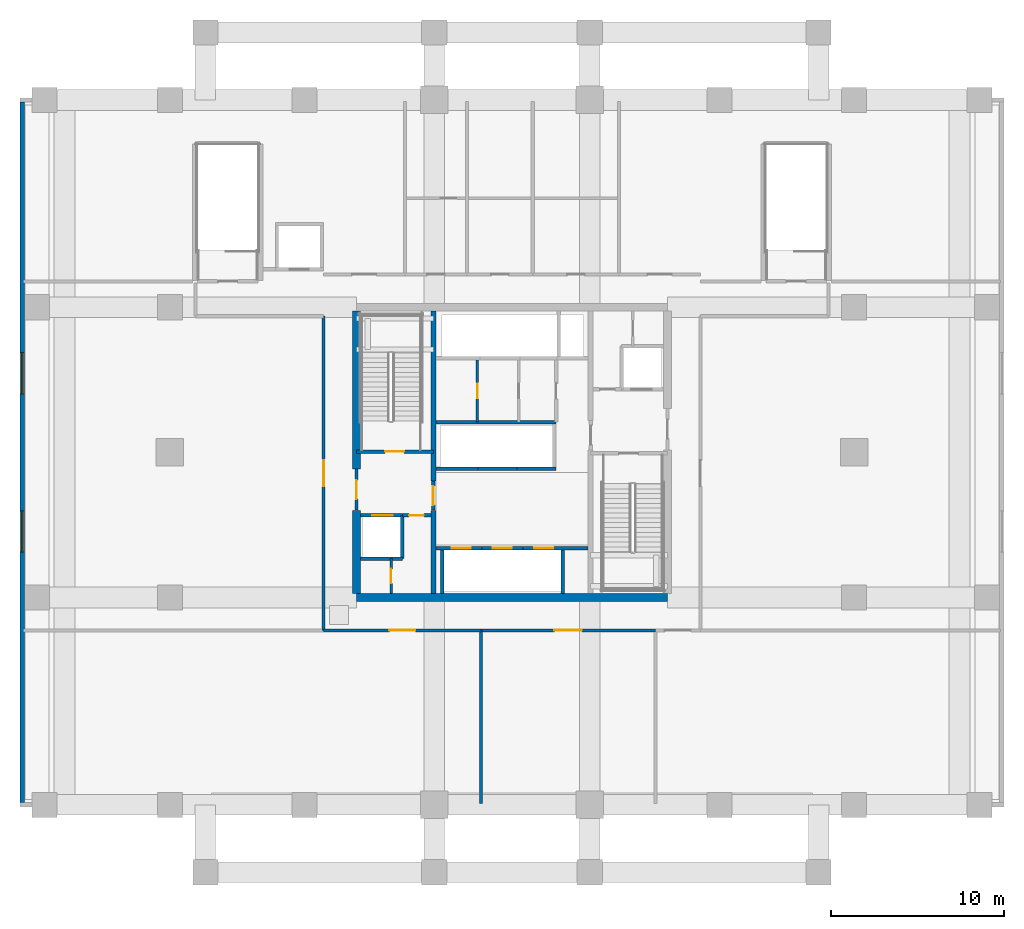
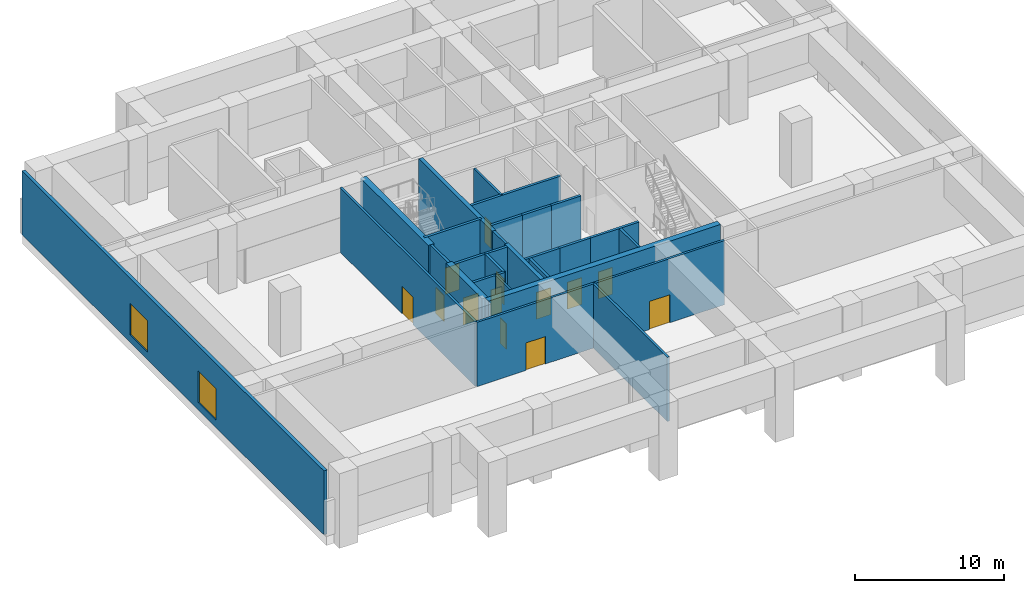
# One storey, part 2 of 9: 28 walls, 13 doors, 2 windows, 15 openings.
"""IFC4 building model written with IfcOpenShell, lengths in metres."""

from ifc_helpers import new_model, si_unit, direction, frame, frame_2d, origin, place, context, subcontext, project, spatial, rectangle, extrude, source, transform, mapped, material, layer, layer_set, type_object, element, fill, save


model = new_model("IFC4")

# Units and contexts
model_context = context("Model", 3, precision=1e-05, world=origin(), true_north=direction((0.0, 1.0)))
body_context = subcontext(model_context, "Body", "Model", "MODEL_VIEW")
ifc_project = project(units=[si_unit("LENGTHUNIT", "METRE"), si_unit("AREAUNIT", "SQUARE_METRE"), si_unit("VOLUMEUNIT", "CUBIC_METRE"), si_unit("PLANEANGLEUNIT", "RADIAN"), si_unit("MASSUNIT", "GRAM", prefix="KILO")], contexts=[model_context])

# Site, building, storey
site_placement = place(None, origin())
site = spatial("IfcSite", under=ifc_project, at=site_placement, CompositionType="ELEMENT")
building_placement = place(site_placement, origin())
building = spatial("IfcBuilding", under=site, at=building_placement, Name="Serunith Strait Residences", CompositionType="ELEMENT")
storey_placement = place(building_placement, frame((0.0, 0.0, 21.0)))
storey = spatial("IfcBuildingStorey", under=building, at=storey_placement, Name="L04", CompositionType="ELEMENT", Elevation=21.0)

# Wall, openings, windows
ifc_material_1 = material(Name="Pale-Silver Aluminium Terracotta-Backed Wall", Category="masonry")
ifc_layer_1 = layer(ifc_material_1, 0.25, Name="Pale-Silver Aluminium Terracotta-Backed Wall")
ifc_layer_set_1 = layer_set([ifc_layer_1], Name="Pale-Silver Aluminium Terracotta-Backed Wall")
wall_type_1 = type_object("IfcWallType", Name="EW-POD-250", PredefinedType="ELEMENTEDWALL", material=ifc_layer_set_1)
wall_1_placement = place(storey_placement, frame((4.050048828125, 45.47509765625, 0.0), z_axis=(0.0, 0.0, 1.0), x_axis=(0.0, -1.0, 0.0)))
wall_1 = element("IfcWall", 1, at=wall_1_placement, inside=storey, type_object=wall_type_1, Name="L04 Podium Envelope Wall 4", PredefinedType="ELEMENTEDWALL", context=body_context, shape_type="SweptSolid", body=[
    extrude(rectangle(XDim=40.550048828125, YDim=0.25, at=frame_2d((20.27490234375, 0.0))), origin(), (0.0, 0.0, 1.0), 5.2451171875),
])
opening_1_placement = place(wall_1_placement, frame((14.4970703125, 0.0, 0.60009765625)))
opening_1 = element("IfcOpeningElement", 2, at=opening_1_placement, cuts=wall_1, Name="Opening W-08", PredefinedType="OPENING", context=body_context, shape_type="SweptSolid", body=[
    extrude(rectangle(XDim=2.39990234375, YDim=2.60009765625, at=frame_2d((1.199951171875, 1.300048828125))), frame((0.0, 0.135009765625, 0.0), z_axis=(0.0, -1.0, 0.0), x_axis=(1.0, 0.0, 0.0)), (0.0, 0.0, 1.0), 0.27001953125),
])
opening_2_placement = place(wall_1_placement, frame((23.653076171875, 0.0, 0.60009765625)))
opening_2 = element("IfcOpeningElement", 3, at=opening_2_placement, cuts=wall_1, Name="Opening W-08", PredefinedType="OPENING", context=body_context, shape_type="SweptSolid", body=[
    extrude(rectangle(XDim=2.39990234375, YDim=2.60009765625, at=frame_2d((1.199951171875, 1.300048828125))), frame((0.0, 0.135009765625, 0.0), z_axis=(0.0, -1.0, 0.0), x_axis=(1.0, 0.0, 0.0)), (0.0, 0.0, 1.0), 0.27001953125),
])
ifc_material_2 = material(Name="Podium Club Operable Window Glass", Category="glass")
window_type = type_object("IfcWindowType", Name="WIN-POD2", PartitioningType="DOUBLE_PANEL_VERTICAL", PredefinedType="WINDOW", material=ifc_material_2)
shared_shape_1 = source(origin(), body_context, "Body", "SweptSolid", [
    extrude(rectangle(XDim=2.39990234375, YDim=2.60009765625, at=frame_2d((1.199951171875, 1.300048828125))), frame((0.0, 0.030029296875, 0.0), z_axis=(0.0, -1.0, 0.0), x_axis=(1.0, 0.0, 0.0)), (0.0, 0.0, 1.0), 0.06005859375),
])
window_1_placement = place(opening_1_placement, origin())
window_1 = element("IfcWindow", 4, at=window_1_placement, inside=storey, type_object=window_type, Name="L04 Podium Window 4A", OverallHeight=2.60009765625, OverallWidth=2.39990234375, PartitioningType="SINGLE_PANEL", PredefinedType="WINDOW", context=body_context, shape_type="MappedRepresentation", body=[
    mapped(shared_shape_1, transform((0.0, 0.0, 0.0), scale=1.0)),
])
fill(opening_1, window_1)
window_2_placement = place(opening_2_placement, origin())
window_2 = element("IfcWindow", 5, at=window_2_placement, inside=storey, type_object=window_type, Name="L04 Podium Window 4B", OverallHeight=2.60009765625, OverallWidth=2.39990234375, PartitioningType="SINGLE_PANEL", PredefinedType="WINDOW", context=body_context, shape_type="MappedRepresentation", body=[
    mapped(shared_shape_1, transform((0.0, 0.0, 0.0), scale=1.0)),
])
fill(opening_2, window_2)

# Wall, opening, door
ifc_material_3 = material(Name="Fire-rated masonry service closet wall", Category="masonry")
ifc_layer_2 = layer(ifc_material_3, 0.14990234375, Name="Fire-rated masonry service closet wall")
ifc_layer_set_2 = layer_set([ifc_layer_2], Name="Fire-rated masonry service closet wall")
wall_type_2 = type_object("IfcWallType", Name="IW-BOH-150", PredefinedType="PARTITIONING", material=ifc_layer_set_2)
wall_2_placement = place(storey_placement, frame((25.39990234375, 17.02490234375, 0.0), z_axis=(0.0, 0.0, 1.0), x_axis=(0.0, 1.0, 0.0)))
wall_2 = element("IfcWall", 6, at=wall_2_placement, inside=storey, type_object=wall_type_2, Name="L04 Partition Wall 012", PredefinedType="PARTITIONING", context=body_context, shape_type="SweptSolid", body=[
    extrude(rectangle(XDim=2.025146484375, YDim=0.14990234375, at=frame_2d((1.0126953125, 0.0))), origin(), (0.0, 0.0, 1.0), 5.260009765625),
])
opening_3_placement = place(wall_2_placement, frame((0.587890625, 0.0, 0.0)))
opening_3 = element("IfcOpeningElement", 7, at=opening_3_placement, cuts=wall_2, Name="Opening FD-850", PredefinedType="OPENING", context=body_context, shape_type="SweptSolid", body=[
    extrude(rectangle(XDim=0.85009765625, YDim=2.10009765625, at=frame_2d((0.425048828125, 1.050048828125))), frame((0.0, 0.0849609375, 0.0), z_axis=(0.0, -1.0, 0.0), x_axis=(1.0, 0.0, 0.0)), (0.0, 0.0, 1.0), 0.169921875),
])
ifc_material_4 = material(Name="Powder-coated steel service closet door", Category="steel")
door_type_1 = type_object("IfcDoorType", Name="FD-BOH-850", OperationType="NOTDEFINED", PredefinedType="DOOR", material=ifc_material_4)
shared_shape_2 = source(origin(), body_context, "Body", "SweptSolid", [
    extrude(rectangle(XDim=0.85009765625, YDim=2.10009765625, at=frame_2d((0.425048828125, 1.050048828125))), frame((0.0, 0.02490234375, 0.0), z_axis=(0.0, -1.0, 0.0), x_axis=(1.0, 0.0, 0.0)), (0.0, 0.0, 1.0), 0.050048828125),
])
door_1_placement = place(opening_3_placement, origin())
door_1 = element("IfcDoor", 8, at=door_1_placement, inside=storey, type_object=door_type_1, Name="L04 Sprinkler Plant Door", OperationType="SINGLE_SWING_RIGHT", OverallHeight=2.10009765625, OverallWidth=0.85009765625, PredefinedType="DOOR", context=body_context, shape_type="MappedRepresentation", body=[
    mapped(shared_shape_2, transform((0.0, 0.0, 0.0), scale=1.0)),
])
fill(opening_3, door_1)

wall_3_placement = place(storey_placement, frame((30.39990234375, 26.949951171875, 0.0), z_axis=(0.0, 0.0, 1.0), x_axis=(0.0, 1.0, 0.0)))
wall_3 = element("IfcWall", 9, at=wall_3_placement, inside=storey, type_object=wall_type_2, Name="L04 Partition Wall 016", PredefinedType="PARTITIONING", context=body_context, shape_type="SweptSolid", body=[
    extrude(rectangle(XDim=3.60009765625, YDim=0.14990234375, at=frame_2d((1.800048828125, 0.0))), origin(), (0.0, 0.0, 1.0), 5.260009765625),
])
opening_4_placement = place(wall_3_placement, frame((1.375, 0.0, 0.0)))
opening_4 = element("IfcOpeningElement", 10, at=opening_4_placement, cuts=wall_3, Name="Opening FD-850", PredefinedType="OPENING", context=body_context, shape_type="SweptSolid", body=[
    extrude(rectangle(XDim=0.85009765625, YDim=2.10009765625, at=frame_2d((0.425048828125, 1.050048828125))), frame((0.0, 0.0849609375, 0.0), z_axis=(0.0, -1.0, 0.0), x_axis=(1.0, 0.0, 0.0)), (0.0, 0.0, 1.0), 0.169921875),
])
door_2_placement = place(opening_4_placement, origin())
door_2 = element("IfcDoor", 11, at=door_2_placement, inside=storey, type_object=door_type_1, Name="L04 Housekeeping Supply Door", OperationType="SINGLE_SWING_RIGHT", OverallHeight=2.10009765625, OverallWidth=0.85009765625, PredefinedType="DOOR", context=body_context, shape_type="MappedRepresentation", body=[
    mapped(shared_shape_2, transform((0.0, 0.0, 0.0), scale=1.0)),
])
fill(opening_4, door_2)

ifc_material_5 = material(Name="Fire-rated acoustic gypsum partition")
ifc_layer_3 = layer(ifc_material_5, 0.179931640625, Name="Fire-rated acoustic gypsum partition")
ifc_layer_set_3 = layer_set([ifc_layer_3], Name="Fire-rated acoustic gypsum partition")
wall_type_3 = type_object("IfcWallType", Name="IW-CORR-180", PredefinedType="PARTITIONING", material=ifc_layer_set_3)
wall_4_placement = place(storey_placement, frame((21.5, 14.89990234375, 0.0), z_axis=(0.0, 0.0, 1.0), x_axis=(0.0, 1.0, 0.0)))
wall_4 = element("IfcWall", 12, at=wall_4_placement, inside=storey, type_object=wall_type_3, Name="L04 Partition Wall 027", PredefinedType="PARTITIONING", context=body_context, shape_type="SweptSolid", body=[
    extrude(rectangle(XDim=18.18017578125, YDim=0.179931640625, at=frame_2d((9.090087890625, 0.0))), origin(), (0.0, 0.0, 1.0), 5.260009765625),
])
opening_5_placement = place(wall_4_placement, frame((8.340087890625, 0.0, 0.0)))
opening_5 = element("IfcOpeningElement", 13, at=opening_5_placement, cuts=wall_4, Name="Opening D-POD1500", PredefinedType="OPENING", context=body_context, shape_type="SweptSolid", body=[
    extrude(rectangle(XDim=1.5, YDim=2.25, at=frame_2d((0.75, 1.125))), frame((0.0, 0.10009765625, 0.0), z_axis=(0.0, -1.0, 0.0), x_axis=(1.0, 0.0, 0.0)), (0.0, 0.0, 1.0), 0.199951171875),
])
ifc_material_6 = material(Name="Pale-champagne aluminium glazed double door", Category="aluminium")
door_type_2 = type_object("IfcDoorType", Name="ID-POD-1500", OperationType="DOUBLE_DOOR_SINGLE_SWING", PredefinedType="DOOR", material=ifc_material_6)
shared_shape_3 = source(origin(), body_context, "Body", "SweptSolid", [
    extrude(rectangle(XDim=1.5, YDim=2.25, at=frame_2d((0.75, 1.125))), frame((0.0, 0.02490234375, 0.0), z_axis=(0.0, -1.0, 0.0), x_axis=(1.0, 0.0, 0.0)), (0.0, 0.0, 1.0), 0.050048828125),
])
door_3_placement = place(opening_5_placement, origin())
door_3 = element("IfcDoor", 14, at=door_3_placement, inside=storey, type_object=door_type_2, Name="L04 West Wing Suite Door", OperationType="DOUBLE_DOOR_SINGLE_SWING", OverallHeight=2.25, OverallWidth=1.5, PredefinedType="DOOR", context=body_context, shape_type="MappedRepresentation", body=[
    mapped(shared_shape_3, transform((0.0, 0.0, 0.0), scale=1.0)),
])
fill(opening_5, door_3)

wall_5_placement = place(storey_placement, frame((21.501953125, 14.89990234375, 0.0), z_axis=(0.0, 0.0, 1.0), x_axis=(1.0, 0.0, 0.0)))
wall_5 = element("IfcWall", 15, at=wall_5_placement, inside=storey, type_object=wall_type_3, Name="L04 Partition Wall 033", PredefinedType="PARTITIONING", context=body_context, shape_type="SweptSolid", body=[
    extrude(rectangle(XDim=9.09814453125, YDim=0.179931640625, at=frame_2d((4.549072265625, 0.0))), origin(), (0.0, 0.0, 1.0), 5.260009765625),
])
opening_6_placement = place(wall_5_placement, frame((3.799072265625, 0.0, 0.0)))
opening_6 = element("IfcOpeningElement", 16, at=opening_6_placement, cuts=wall_5, Name="Opening D-POD1500", PredefinedType="OPENING", context=body_context, shape_type="SweptSolid", body=[
    extrude(rectangle(XDim=1.5, YDim=2.25, at=frame_2d((0.75, 1.125))), frame((0.0, 0.10009765625, 0.0), z_axis=(0.0, -1.0, 0.0), x_axis=(1.0, 0.0, 0.0)), (0.0, 0.0, 1.0), 0.199951171875),
])
door_4_placement = place(opening_6_placement, origin())
door_4 = element("IfcDoor", 17, at=door_4_placement, inside=storey, type_object=door_type_2, Name="L04 South-West Suite Door", OperationType="DOUBLE_DOOR_SINGLE_SWING", OverallHeight=2.25, OverallWidth=1.5, PredefinedType="DOOR", context=body_context, shape_type="MappedRepresentation", body=[
    mapped(shared_shape_3, transform((0.0, 0.0, 0.0), scale=1.0)),
])
fill(opening_6, door_4)

wall_6_placement = place(storey_placement, frame((30.60205078125, 14.89990234375, 0.0), z_axis=(0.0, 0.0, 1.0), x_axis=(1.0, 0.0, 0.0)))
wall_6 = element("IfcWall", 18, at=wall_6_placement, inside=storey, type_object=wall_type_3, Name="L04 Partition Wall 034", PredefinedType="PARTITIONING", context=body_context, shape_type="SweptSolid", body=[
    extrude(rectangle(XDim=10.097900390625, YDim=0.179931640625, at=frame_2d((5.048828125, 0.0))), origin(), (0.0, 0.0, 1.0), 5.260009765625),
])
opening_7_placement = place(wall_6_placement, frame((4.2490234375, 0.0, 0.0)))
opening_7 = element("IfcOpeningElement", 19, at=opening_7_placement, cuts=wall_6, Name="Opening D-POD1600", PredefinedType="OPENING", context=body_context, shape_type="SweptSolid", body=[
    extrude(rectangle(XDim=1.60009765625, YDim=2.300048828125, at=frame_2d((0.800048828125, 1.14990234375))), frame((0.0, 0.10009765625, 0.0), z_axis=(0.0, -1.0, 0.0), x_axis=(1.0, 0.0, 0.0)), (0.0, 0.0, 1.0), 0.199951171875),
])
ifc_material_7 = material(Name="Pale-champagne aluminium glazed concourse door", Category="aluminium")
door_type_3 = type_object("IfcDoorType", Name="ID-POD-1600", OperationType="DOUBLE_DOOR_SINGLE_SWING", PredefinedType="DOOR", material=ifc_material_7)
shared_shape_4 = source(origin(), body_context, "Body", "SweptSolid", [
    extrude(rectangle(XDim=1.60009765625, YDim=2.300048828125, at=frame_2d((0.800048828125, 1.14990234375))), frame((0.0, 0.02490234375, 0.0), z_axis=(0.0, -1.0, 0.0), x_axis=(1.0, 0.0, 0.0)), (0.0, 0.0, 1.0), 0.050048828125),
])
door_5_placement = place(opening_7_placement, origin())
door_5 = element("IfcDoor", 20, at=door_5_placement, inside=storey, type_object=door_type_3, Name="L04 South Central Lounge Door", OperationType="DOUBLE_DOOR_SINGLE_SWING", OverallHeight=2.300048828125, OverallWidth=1.60009765625, PredefinedType="DOOR", context=body_context, shape_type="MappedRepresentation", body=[
    mapped(shared_shape_4, transform((0.0, 0.0, 0.0), scale=1.0)),
])
fill(opening_7, door_5)

# Wall
wall_7_placement = place(storey_placement, frame((30.60009765625, 4.882080078125, 0.0), z_axis=(0.0, 0.0, 1.0), x_axis=(0.0, 1.0, 0.0)))
element("IfcWall", 21, at=wall_7_placement, inside=storey, type_object=wall_type_3, Name="L04 Partition Wall 041", PredefinedType="PARTITIONING", context=body_context, shape_type="SweptSolid", body=[
    extrude(rectangle(XDim=10.017822265625, YDim=0.179931640625, at=frame_2d((5.0087890625, 0.0))), origin(), (0.0, 0.0, 1.0), 5.260009765625),
])

# Wall, opening, door
ifc_material_8 = material(Name="Autoclaved aerated concrete blockwork", Category="masonry")
ifc_layer_4 = layer(ifc_material_8, 0.199951171875, Name="Autoclaved aerated concrete blockwork")
ifc_layer_set_4 = layer_set([ifc_layer_4], Name="Autoclaved aerated concrete blockwork")
wall_type_4 = type_object("IfcWallType", Name="IW-SHAFT-200", PredefinedType="STANDARD", material=ifc_layer_set_4)
wall_8_placement = place(storey_placement, frame((23.39990234375, 25.25, 0.0), z_axis=(0.0, 0.0, 1.0), x_axis=(1.0, 0.0, 0.0)))
wall_8 = element("IfcWall", 22, at=wall_8_placement, inside=storey, type_object=wall_type_4, Name="L04 ST-1 South Shaft Wall", PredefinedType="STANDARD", context=body_context, shape_type="SweptSolid", body=[
    extrude(rectangle(XDim=4.4501953125, YDim=0.199951171875, at=frame_2d((2.22509765625, 0.0))), origin(), (0.0, 0.0, 1.0), 5.260009765625),
])
opening_8_placement = place(wall_8_placement, frame((1.64990234375, 0.0, 0.0)))
opening_8 = element("IfcOpeningElement", 23, at=opening_8_placement, cuts=wall_8, Name="Opening FD-1100", PredefinedType="OPENING", context=body_context, shape_type="SweptSolid", body=[
    extrude(rectangle(XDim=1.10009765625, YDim=2.14990234375, at=frame_2d((0.550048828125, 1.074951171875))), frame((0.0, 0.10986328125, 0.0), z_axis=(0.0, -1.0, 0.0), x_axis=(1.0, 0.0, 0.0)), (0.0, 0.0, 1.0), 0.219970703125),
])
ifc_material_9 = material(Name="Galvanised steel fire door leaf", Category="steel")
door_type_4 = type_object("IfcDoorType", Name="FD-STAIR-1100", OperationType="NOTDEFINED", PredefinedType="DOOR", material=ifc_material_9)
shared_shape_5 = source(origin(), body_context, "Body", "SweptSolid", [
    extrude(rectangle(XDim=1.10009765625, YDim=2.14990234375, at=frame_2d((0.550048828125, 1.074951171875))), frame((0.0, 0.02490234375, 0.0), z_axis=(0.0, -1.0, 0.0), x_axis=(1.0, 0.0, 0.0)), (0.0, 0.0, 1.0), 0.050048828125),
])
door_6_placement = place(opening_8_placement, origin())
door_6 = element("IfcDoor", 24, at=door_6_placement, inside=storey, type_object=door_type_4, Name="L04 ST-1 Escape Stair Door", OperationType="SINGLE_SWING_RIGHT", OverallHeight=2.14990234375, OverallWidth=1.10009765625, PredefinedType="DOOR", context=body_context, shape_type="MappedRepresentation", body=[
    mapped(shared_shape_5, transform((0.0, 0.0, 0.0), scale=1.0)),
])
fill(opening_8, door_6)

wall_9_placement = place(storey_placement, frame((23.625, 21.550048828125, 0.0), z_axis=(0.0, 0.0, 1.0), x_axis=(1.0, 0.0, 0.0)))
wall_9 = element("IfcWall", 25, at=wall_9_placement, inside=storey, type_object=wall_type_4, Name="L04 FL-1 North Shaft Wall", PredefinedType="STANDARD", context=body_context, shape_type="SweptSolid", body=[
    extrude(rectangle(XDim=2.425048828125, YDim=0.199951171875, at=frame_2d((1.21240234375, 0.0))), origin(), (0.0, 0.0, 1.0), 5.260009765625),
])
opening_9_placement = place(wall_9_placement, frame((0.675048828125, 0.0, 0.0)))
opening_9 = element("IfcOpeningElement", 26, at=opening_9_placement, cuts=wall_9, Name="Opening LD-FF1200", PredefinedType="OPENING", context=body_context, shape_type="SweptSolid", body=[
    extrude(rectangle(XDim=1.199951171875, YDim=2.199951171875, at=frame_2d((0.60009765625, 1.10009765625))), frame((0.0, 0.10986328125, 0.0), z_axis=(0.0, -1.0, 0.0), x_axis=(1.0, 0.0, 0.0)), (0.0, 0.0, 1.0), 0.219970703125),
])
ifc_material_10 = material(Name="Brushed stainless steel landing door", Category="steel")
door_type_5 = type_object("IfcDoorType", Name="LD-FF-1200", OperationType="DOUBLE_DOOR_SLIDING", PredefinedType="DOOR", material=ifc_material_10)
shared_shape_6 = source(origin(), body_context, "Body", "SweptSolid", [
    extrude(rectangle(XDim=1.199951171875, YDim=2.199951171875, at=frame_2d((0.60009765625, 1.10009765625))), frame((0.0, 0.02490234375, 0.0), z_axis=(0.0, -1.0, 0.0), x_axis=(1.0, 0.0, 0.0)), (0.0, 0.0, 1.0), 0.050048828125),
])
door_7_placement = place(opening_9_placement, origin())
door_7 = element("IfcDoor", 27, at=door_7_placement, inside=storey, type_object=door_type_5, Name="L04 FL-1 Landing Door", OperationType="DOUBLE_DOOR_SLIDING", OverallHeight=2.199951171875, OverallWidth=1.199951171875, PredefinedType="DOOR", context=body_context, shape_type="MappedRepresentation", body=[
    mapped(shared_shape_6, transform((0.0, 0.0, 0.0), scale=1.0)),
])
fill(opening_9, door_7)

wall_10_placement = place(storey_placement, frame((28.0, 19.64990234375, 0.0), z_axis=(0.0, 0.0, 1.0), x_axis=(1.0, 0.0, 0.0)))
wall_10 = element("IfcWall", 28, at=wall_10_placement, inside=storey, type_object=wall_type_4, Name="L04 PL-1 North Shaft Wall", PredefinedType="STANDARD", context=body_context, shape_type="SweptSolid", body=[
    extrude(rectangle(XDim=2.64990234375, YDim=0.199951171875, at=frame_2d((1.324951171875, 0.0))), origin(), (0.0, 0.0, 1.0), 5.260009765625),
])
opening_10_placement = place(wall_10_placement, frame((0.89990234375, 0.0, 0.0)))
opening_10 = element("IfcOpeningElement", 29, at=opening_10_placement, cuts=wall_10, Name="Opening LD-1100", PredefinedType="OPENING", context=body_context, shape_type="SweptSolid", body=[
    extrude(rectangle(XDim=1.10009765625, YDim=2.199951171875, at=frame_2d((0.550048828125, 1.10009765625))), frame((0.0, 0.10986328125, 0.0), z_axis=(0.0, -1.0, 0.0), x_axis=(1.0, 0.0, 0.0)), (0.0, 0.0, 1.0), 0.219970703125),
])
ifc_material_11 = material(Name="Pale-champagne stainless landing door")
door_type_6 = type_object("IfcDoorType", Name="LD-LIFT-1100", OperationType="DOUBLE_DOOR_SLIDING", PredefinedType="DOOR", material=ifc_material_11)
shared_shape_7 = source(origin(), body_context, "Body", "SweptSolid", [
    extrude(rectangle(XDim=1.10009765625, YDim=2.199951171875, at=frame_2d((0.550048828125, 1.10009765625))), frame((0.0, 0.02490234375, 0.0), z_axis=(0.0, -1.0, 0.0), x_axis=(1.0, 0.0, 0.0)), (0.0, 0.0, 1.0), 0.050048828125),
])
door_8_placement = place(opening_10_placement, origin())
door_8 = element("IfcDoor", 30, at=door_8_placement, inside=storey, type_object=door_type_6, Name="L04 PL-1 Landing Door", OperationType="DOUBLE_DOOR_SLIDING", OverallHeight=2.199951171875, OverallWidth=1.10009765625, PredefinedType="DOOR", context=body_context, shape_type="MappedRepresentation", body=[
    mapped(shared_shape_7, transform((0.0, 0.0, 0.0), scale=1.0)),
])
fill(opening_10, door_8)

# Wall
wall_11_placement = place(storey_placement, frame((28.35009765625, 17.02490234375, 0.0), z_axis=(0.0, 0.0, 1.0), x_axis=(0.0, 1.0, 0.0)))
element("IfcWall", 31, at=wall_11_placement, inside=storey, type_object=wall_type_4, Name="L04 PL-1 West Shaft Wall", PredefinedType="STANDARD", context=body_context, shape_type="SweptSolid", body=[
    extrude(rectangle(XDim=2.525146484375, YDim=0.199951171875, at=frame_2d((1.2626953125, 0.0))), origin(), (0.0, 0.0, 1.0), 5.260009765625),
])

# Wall, opening, door
wall_12_placement = place(storey_placement, frame((30.64990234375, 19.64990234375, 0.0), z_axis=(0.0, 0.0, 1.0), x_axis=(1.0, 0.0, 0.0)))
wall_12 = element("IfcWall", 32, at=wall_12_placement, inside=storey, type_object=wall_type_4, Name="L04 PL-2 North Shaft Wall", PredefinedType="STANDARD", context=body_context, shape_type="SweptSolid", body=[
    extrude(rectangle(XDim=2.400146484375, YDim=0.199951171875, at=frame_2d((1.2001953125, 0.0))), origin(), (0.0, 0.0, 1.0), 5.260009765625),
])
opening_11_placement = place(wall_12_placement, frame((0.64990234375, 0.0, 0.0)))
opening_11 = element("IfcOpeningElement", 33, at=opening_11_placement, cuts=wall_12, Name="Opening LD-1100", PredefinedType="OPENING", context=body_context, shape_type="SweptSolid", body=[
    extrude(rectangle(XDim=1.10009765625, YDim=2.199951171875, at=frame_2d((0.550048828125, 1.10009765625))), frame((0.0, 0.10986328125, 0.0), z_axis=(0.0, -1.0, 0.0), x_axis=(1.0, 0.0, 0.0)), (0.0, 0.0, 1.0), 0.219970703125),
])
door_9_placement = place(opening_11_placement, origin())
door_9 = element("IfcDoor", 34, at=door_9_placement, inside=storey, type_object=door_type_6, Name="L04 PL-2 Landing Door", OperationType="DOUBLE_DOOR_SLIDING", OverallHeight=2.199951171875, OverallWidth=1.10009765625, PredefinedType="DOOR", context=body_context, shape_type="MappedRepresentation", body=[
    mapped(shared_shape_7, transform((0.0, 0.0, 0.0), scale=1.0)),
])
fill(opening_11, door_9)

wall_13_placement = place(storey_placement, frame((33.050048828125, 19.64990234375, 0.0), z_axis=(0.0, 0.0, 1.0), x_axis=(1.0, 0.0, 0.0)))
wall_13 = element("IfcWall", 35, at=wall_13_placement, inside=storey, type_object=wall_type_4, Name="L04 PL-3 North Shaft Wall", PredefinedType="STANDARD", context=body_context, shape_type="SweptSolid", body=[
    extrude(rectangle(XDim=3.75, YDim=0.199951171875, at=frame_2d((1.875, 0.0))), origin(), (0.0, 0.0, 1.0), 5.260009765625),
])
opening_12_placement = place(wall_13_placement, frame((0.64990234375, 0.0, 0.0)))
opening_12 = element("IfcOpeningElement", 36, at=opening_12_placement, cuts=wall_13, Name="Opening LD-1100", PredefinedType="OPENING", context=body_context, shape_type="SweptSolid", body=[
    extrude(rectangle(XDim=1.10009765625, YDim=2.199951171875, at=frame_2d((0.550048828125, 1.10009765625))), frame((0.0, 0.10986328125, 0.0), z_axis=(0.0, -1.0, 0.0), x_axis=(1.0, 0.0, 0.0)), (0.0, 0.0, 1.0), 0.219970703125),
])
door_10_placement = place(opening_12_placement, origin())
door_10 = element("IfcDoor", 37, at=door_10_placement, inside=storey, type_object=door_type_6, Name="L04 PL-3 Landing Door", OperationType="DOUBLE_DOOR_SLIDING", OverallHeight=2.199951171875, OverallWidth=1.10009765625, PredefinedType="DOOR", context=body_context, shape_type="MappedRepresentation", body=[
    mapped(shared_shape_7, transform((0.0, 0.0, 0.0), scale=1.0)),
])
fill(opening_12, door_10)

# Walls
wall_14_placement = place(storey_placement, frame((35.35009765625, 17.02490234375, 0.0), z_axis=(0.0, 0.0, 1.0), x_axis=(0.0, 1.0, 0.0)))
element("IfcWall", 38, at=wall_14_placement, inside=storey, type_object=wall_type_4, Name="L04 PL-3 East Shaft Wall", PredefinedType="STANDARD", context=body_context, shape_type="SweptSolid", body=[
    extrude(rectangle(XDim=2.525146484375, YDim=0.199951171875, at=frame_2d((1.2626953125, 0.0))), origin(), (0.0, 0.0, 1.0), 5.260009765625),
])
wall_15_placement = place(storey_placement, frame((28.0, 24.25, 0.0), z_axis=(0.0, 0.0, 1.0), x_axis=(1.0, 0.0, 0.0)))
element("IfcWall", 39, at=wall_15_placement, inside=storey, type_object=wall_type_4, Name="L04 PL-4 South Shaft Wall", PredefinedType="STANDARD", context=body_context, shape_type="SweptSolid", body=[
    extrude(rectangle(XDim=2.425048828125, YDim=0.199951171875, at=frame_2d((1.21240234375, 0.0))), origin(), (0.0, 0.0, 1.0), 5.260009765625),
])
wall_16_placement = place(storey_placement, frame((30.425048828125, 24.25, 0.0), z_axis=(0.0, 0.0, 1.0), x_axis=(1.0, 0.0, 0.0)))
element("IfcWall", 40, at=wall_16_placement, inside=storey, type_object=wall_type_4, Name="L04 PL-5 South Shaft Wall", PredefinedType="STANDARD", context=body_context, shape_type="SweptSolid", body=[
    extrude(rectangle(XDim=2.25, YDim=0.199951171875, at=frame_2d((1.125, 0.0))), origin(), (0.0, 0.0, 1.0), 5.260009765625),
])
wall_17_placement = place(storey_placement, frame((32.675048828125, 24.25, 0.0), z_axis=(0.0, 0.0, 1.0), x_axis=(1.0, 0.0, 0.0)))
element("IfcWall", 41, at=wall_17_placement, inside=storey, type_object=wall_type_4, Name="L04 PL-6 South Shaft Wall", PredefinedType="STANDARD", context=body_context, shape_type="SweptSolid", body=[
    extrude(rectangle(XDim=2.27490234375, YDim=0.199951171875, at=frame_2d((1.137451171875, 0.0))), origin(), (0.0, 0.0, 1.0), 5.260009765625),
])
wall_18_placement = place(storey_placement, frame((26.050048828125, 19.050048828125, 0.0), z_axis=(0.0, 0.0, 1.0), x_axis=(0.0, 1.0, 0.0)))
element("IfcWall", 42, at=wall_18_placement, inside=storey, type_object=wall_type_4, Name="L04 Partition Wall 001", PredefinedType="STANDARD", context=body_context, shape_type="SweptSolid", body=[
    extrude(rectangle(XDim=2.5, YDim=0.199951171875, at=frame_2d((1.25, 0.0))), origin(), (0.0, 0.0, 1.0), 5.260009765625),
])
wall_19_placement = place(storey_placement, frame((23.625, 19.050048828125, 0.0), z_axis=(0.0, 0.0, 1.0), x_axis=(1.0, 0.0, 0.0)))
element("IfcWall", 43, at=wall_19_placement, inside=storey, type_object=wall_type_4, Name="L04 Partition Wall 002", PredefinedType="STANDARD", context=body_context, shape_type="SweptSolid", body=[
    extrude(rectangle(XDim=2.425048828125, YDim=0.199951171875, at=frame_2d((1.21240234375, 0.0))), origin(), (0.0, 0.0, 1.0), 5.260009765625),
])

# Wall, opening, door
wall_20_placement = place(storey_placement, frame((26.052001953125, 21.550048828125, 0.0), z_axis=(0.0, 0.0, 1.0), x_axis=(1.0, 0.0, 0.0)))
wall_20 = element("IfcWall", 44, at=wall_20_placement, inside=storey, type_object=wall_type_4, Name="L04 Partition Wall 003", PredefinedType="STANDARD", context=body_context, shape_type="SweptSolid", body=[
    extrude(rectangle(XDim=1.64794921875, YDim=0.199951171875, at=frame_2d((0.823974609375, 0.0))), origin(), (0.0, 0.0, 1.0), 5.260009765625),
])
opening_13_placement = place(wall_20_placement, frame((0.39892578125, 0.0, 0.0)))
opening_13 = element("IfcOpeningElement", 45, at=opening_13_placement, cuts=wall_20, Name="Opening FD-850", PredefinedType="OPENING", context=body_context, shape_type="SweptSolid", body=[
    extrude(rectangle(XDim=0.85009765625, YDim=2.10009765625, at=frame_2d((0.425048828125, 1.050048828125))), frame((0.0, 0.10986328125, 0.0), z_axis=(0.0, -1.0, 0.0), x_axis=(1.0, 0.0, 0.0)), (0.0, 0.0, 1.0), 0.219970703125),
])
door_11_placement = place(opening_13_placement, origin())
door_11 = element("IfcDoor", 46, at=door_11_placement, inside=storey, type_object=door_type_1, Name="L04 South-West Core Service Door", OperationType="SINGLE_SWING_RIGHT", OverallHeight=2.10009765625, OverallWidth=0.85009765625, PredefinedType="DOOR", context=body_context, shape_type="MappedRepresentation", body=[
    mapped(shared_shape_2, transform((0.0, 0.0, 0.0), scale=1.0)),
])
fill(opening_13, door_11)

wall_21_placement = place(storey_placement, frame((23.39990234375, 21.85205078125, 0.0), z_axis=(0.0, 0.0, 1.0), x_axis=(0.0, 1.0, 0.0)))
wall_21 = element("IfcWall", 47, at=wall_21_placement, inside=storey, type_object=wall_type_4, Name="L04 Partition Wall 007", PredefinedType="STANDARD", context=body_context, shape_type="SweptSolid", body=[
    extrude(rectangle(XDim=2.39599609375, YDim=0.199951171875, at=frame_2d((1.197998046875, 0.0))), origin(), (0.0, 0.0, 1.0), 5.260009765625),
])
opening_14_placement = place(wall_21_placement, frame((0.64794921875, 0.0, 0.0)))
opening_14 = element("IfcOpeningElement", 48, at=opening_14_placement, cuts=wall_21, Name="Opening FD-FFL", PredefinedType="OPENING", context=body_context, shape_type="SweptSolid", body=[
    extrude(rectangle(XDim=1.10009765625, YDim=2.14990234375, at=frame_2d((0.550048828125, 1.074951171875))), frame((0.0, 0.10986328125, 0.0), z_axis=(0.0, -1.0, 0.0), x_axis=(1.0, 0.0, 0.0)), (0.0, 0.0, 1.0), 0.219970703125),
])
ifc_material_12 = material(Name="Glazed steel smoke-lobby fire door", Category="steel")
door_type_7 = type_object("IfcDoorType", Name="FD-FFL-1100", OperationType="NOTDEFINED", PredefinedType="DOOR", material=ifc_material_12)
door_12_placement = place(opening_14_placement, origin())
door_12 = element("IfcDoor", 49, at=door_12_placement, inside=storey, type_object=door_type_7, Name="L04 FFL-1 Corridor Fire Door", OperationType="SINGLE_SWING_RIGHT", OverallHeight=2.14990234375, OverallWidth=1.10009765625, PredefinedType="DOOR", context=body_context, shape_type="MappedRepresentation", body=[
    mapped(shared_shape_5, transform((0.0, 0.0, 0.0), scale=1.0)),
])
fill(opening_14, door_12)

wall_22_placement = place(storey_placement, frame((27.85009765625, 21.85205078125, 0.0), z_axis=(0.0, 0.0, 1.0), x_axis=(0.0, 1.0, 0.0)))
wall_22 = element("IfcWall", 50, at=wall_22_placement, inside=storey, type_object=wall_type_4, Name="L04 Partition Wall 009", PredefinedType="STANDARD", context=body_context, shape_type="SweptSolid", body=[
    extrude(rectangle(XDim=1.696044921875, YDim=0.199951171875, at=frame_2d((0.84814453125, 0.0))), origin(), (0.0, 0.0, 1.0), 5.260009765625),
])
opening_15_placement = place(wall_22_placement, frame((0.298095703125, 0.0, 0.0)))
opening_15 = element("IfcOpeningElement", 51, at=opening_15_placement, cuts=wall_22, Name="Opening FD-FFL", PredefinedType="OPENING", context=body_context, shape_type="SweptSolid", body=[
    extrude(rectangle(XDim=1.10009765625, YDim=2.14990234375, at=frame_2d((0.550048828125, 1.074951171875))), frame((0.0, 0.10986328125, 0.0), z_axis=(0.0, -1.0, 0.0), x_axis=(1.0, 0.0, 0.0)), (0.0, 0.0, 1.0), 0.219970703125),
])
door_13_placement = place(opening_15_placement, origin())
door_13 = element("IfcDoor", 52, at=door_13_placement, inside=storey, type_object=door_type_7, Name="L04 FFL-1 Lift Lobby Door", OperationType="SINGLE_SWING_RIGHT", OverallHeight=2.14990234375, OverallWidth=1.10009765625, PredefinedType="DOOR", context=body_context, shape_type="MappedRepresentation", body=[
    mapped(shared_shape_5, transform((0.0, 0.0, 0.0), scale=1.0)),
])
fill(opening_15, door_13)

# Walls
wall_23_placement = place(storey_placement, frame((28.0, 26.949951171875, 0.0), z_axis=(0.0, 0.0, 1.0), x_axis=(1.0, 0.0, 0.0)))
element("IfcWall", 53, at=wall_23_placement, inside=storey, type_object=wall_type_4, Name="L04 Partition Wall 011", PredefinedType="STANDARD", context=body_context, shape_type="SweptSolid", body=[
    extrude(rectangle(XDim=6.949951171875, YDim=0.199951171875, at=frame_2d((3.47509765625, 0.0))), origin(), (0.0, 0.0, 1.0), 5.260009765625),
])
ifc_material_13 = material(Name="Concrete C80/95", Category="concrete")
ifc_layer_5 = layer(ifc_material_13, 0.300048828125, Name="Concrete C80/95")
ifc_layer_set_5 = layer_set([ifc_layer_5], Name="Concrete C80/95")
wall_type_5 = type_object("IfcWallType", Name="SW-300-C80", PredefinedType="SHEAR", material=ifc_layer_set_5)
wall_24_placement = place(storey_placement, frame((27.85009765625, 17.02490234375, -0.85009765625), z_axis=(0.0, 0.0, 1.0), x_axis=(0.0, 1.0, 0.0)))
element("IfcWall", 54, at=wall_24_placement, inside=storey, type_object=wall_type_5, Name="L04 Core Internal West Web South Pier", PredefinedType="SHEAR", context=body_context, shape_type="SweptSolid", body=[
    extrude(rectangle(XDim=4.8251953125, YDim=0.300048828125, at=frame_2d((2.41259765625, 0.0))), origin(), (0.0, 0.0, 1.0), 6.108154296875),
])
wall_25_placement = place(storey_placement, frame((27.85009765625, 23.550048828125, -0.85009765625), z_axis=(0.0, 0.0, 1.0), x_axis=(0.0, 1.0, 0.0)))
element("IfcWall", 55, at=wall_25_placement, inside=storey, type_object=wall_type_5, Name="L04 Core Internal West Web North Pier", PredefinedType="SHEAR", context=body_context, shape_type="SweptSolid", body=[
    extrude(rectangle(XDim=9.824951171875, YDim=0.300048828125, at=frame_2d((4.91259765625, 0.0))), origin(), (0.0, 0.0, 1.0), 6.108154296875),
])
ifc_layer_6 = layer(ifc_material_13, 0.449951171875, Name="Concrete C80/95")
ifc_layer_set_6 = layer_set([ifc_layer_6], Name="Concrete C80/95")
wall_type_6 = type_object("IfcWallType", Name="SW-450-C80", PredefinedType="SHEAR", material=ifc_layer_set_6)
wall_26_placement = place(storey_placement, frame((23.39990234375, 16.800048828125, -0.85009765625), z_axis=(0.0, 0.0, 1.0), x_axis=(1.0, 0.0, 0.0)))
element("IfcWall", 56, at=wall_26_placement, inside=storey, type_object=wall_type_6, Name="L04 Core South Shear Wall", PredefinedType="SHEAR", context=body_context, shape_type="SweptSolid", body=[
    extrude(rectangle(XDim=18.0, YDim=0.449951171875, at=frame_2d((9.0, 0.0))), origin(), (0.0, 0.0, 1.0), 6.108154296875),
])
wall_27_placement = place(storey_placement, frame((23.39990234375, 17.02490234375, -0.85009765625), z_axis=(0.0, 0.0, 1.0), x_axis=(0.0, 1.0, 0.0)))
element("IfcWall", 57, at=wall_27_placement, inside=storey, type_object=wall_type_6, Name="L04 Core West Shear Wall South Pier", PredefinedType="SHEAR", context=body_context, shape_type="SweptSolid", body=[
    extrude(rectangle(XDim=4.8251953125, YDim=0.449951171875, at=frame_2d((2.41259765625, 0.0))), origin(), (0.0, 0.0, 1.0), 6.108154296875),
])
wall_28_placement = place(storey_placement, frame((23.39990234375, 24.25, -0.85009765625), z_axis=(0.0, 0.0, 1.0), x_axis=(0.0, 1.0, 0.0)))
element("IfcWall", 58, at=wall_28_placement, inside=storey, type_object=wall_type_6, Name="L04 Core West Shear Wall North Pier", PredefinedType="SHEAR", context=body_context, shape_type="SweptSolid", body=[
    extrude(rectangle(XDim=9.125, YDim=0.449951171875, at=frame_2d((4.5625, 0.0))), origin(), (0.0, 0.0, 1.0), 6.108154296875),
])

save(model, "model.ifc")
